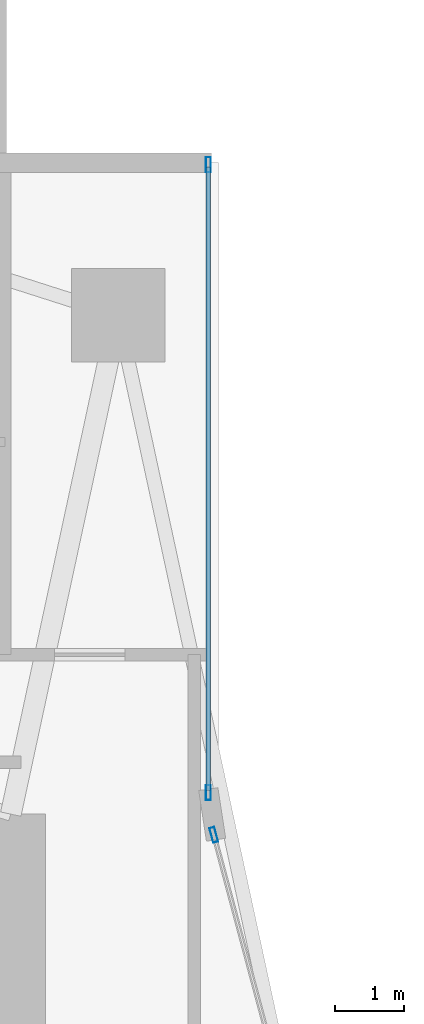
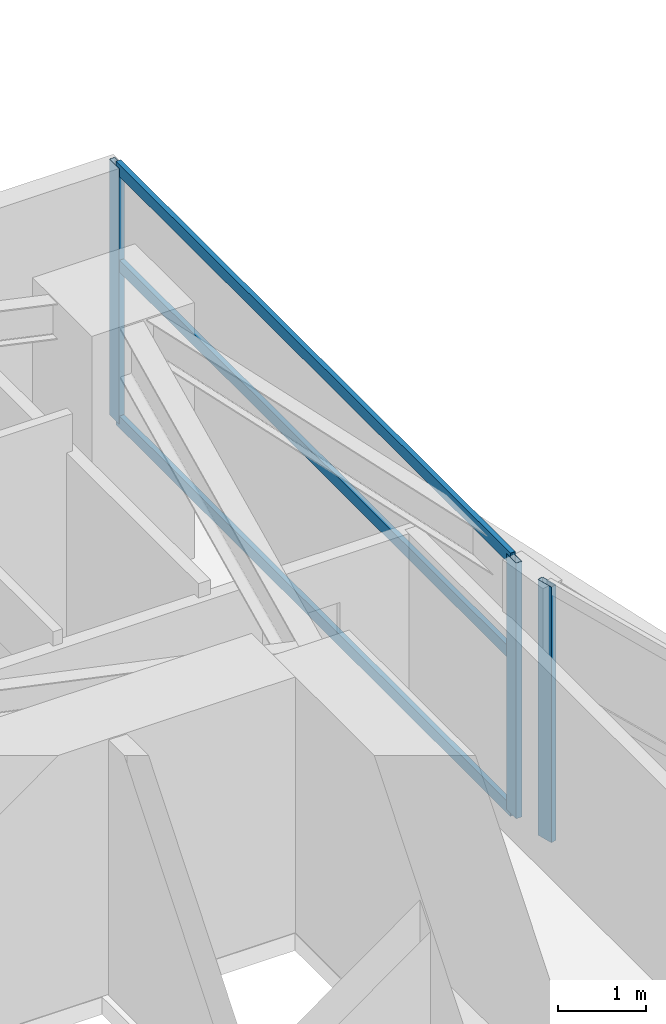
# One storey, part 18 of 30: 6 members, 2 elements without a shape of their own.
"""IFC4 building model written with IfcOpenShell, lengths in metres."""

from ifc_helpers import new_model, si_unit, direction, frame, origin, origin_2d, place, context, subcontext, project, spatial, hollow_rectangle, extrude, material, layer, layer_set, material_profile, profile_set, type_object, element, aggregate, save


model = new_model("IFC4")

# Units and contexts
model_context = context("Model", 3, precision=1e-05, world=origin(), true_north=direction((0.0, 1.0)))
body_context = subcontext(model_context, "Body", "Model", "MODEL_VIEW")
ifc_project = project(units=[si_unit("LENGTHUNIT", "METRE"), si_unit("AREAUNIT", "SQUARE_METRE"), si_unit("VOLUMEUNIT", "CUBIC_METRE"), si_unit("PLANEANGLEUNIT", "RADIAN"), si_unit("MASSUNIT", "GRAM", prefix="KILO")], contexts=[model_context])

# Site, building, storey
site_placement = place(None, origin())
site = spatial("IfcSite", under=ifc_project, at=site_placement, CompositionType="ELEMENT")
building_placement = place(site_placement, origin())
building = spatial("IfcBuilding", under=site, at=building_placement, Name="Calvorn Quay Hotel", CompositionType="ELEMENT")
storey_placement = place(building_placement, frame((0.0, 0.0, 54.60009765625)))
storey = spatial("IfcBuildingStorey", under=building, at=storey_placement, Name="L12", CompositionType="ELEMENT", Elevation=54.60009765625)

# Curtain wall, member
ifc_material_1 = material(Name="Pale Anodised Aluminium and Low-E Glass", Category="aluminium")
ifc_layer = layer(ifc_material_1, 0.219970703125)
ifc_layer_set = layer_set([ifc_layer], Name="CW-SYS-Z1")
curtain_wall_type = type_object("IfcCurtainWallType", Name="CW-SYS-Z1", PredefinedType="NOTDEFINED", material=ifc_layer_set)
curtain_wall_1_placement = place(storey_placement, origin())
curtain_wall_1 = element("IfcCurtainWall", 1, at=curtain_wall_1_placement, inside=storey, type_object=curtain_wall_type, Name="Inner Court Curtain Wall L12-IC1", PredefinedType="NOTDEFINED")
ifc_material_2 = material(Name="Pale Anodised Aluminium 6063-T6", Category="aluminium")
ifc_material_profile_1 = material_profile(ifc_material_2, hollow_rectangle(XDim=0.074951171875, YDim=0.219970703125, WallThickness=0.00439453125, at=origin_2d()), Name="ALU-M220x75x4.5")
ifc_profile_set_1 = profile_set([ifc_material_profile_1], Name="Pale Anodised Aluminium 6063-T6")
member_type_1 = type_object("IfcMemberType", Name="CW-SYS-Z1-MUL", PredefinedType="MULLION", material=ifc_profile_set_1)
member_1_placement = place(storey_placement, frame((17.9296875, 38.10107421875, 0.0), z_axis=(0.0, 0.0, 1.0), x_axis=(-0.96593652056, -0.25877913024, 0.0)))
member_1 = element("IfcMember", 2, at=member_1_placement, type_object=member_type_1, Name="CW-L12-IC1 mullion 2", PredefinedType="MULLION", context=body_context, shape_type="SweptSolid", body=[
    extrude(hollow_rectangle(XDim=0.074951171875, YDim=0.219970703125, WallThickness=0.00439453125, at=origin_2d()), origin(), (0.0, 0.0, 1.0), 3.559814453125),
])
aggregate(curtain_wall_1, [member_1])

# Curtain wall, members
curtain_wall_2_placement = place(storey_placement, origin())
curtain_wall_2 = element("IfcCurtainWall", 3, at=curtain_wall_2_placement, inside=storey, type_object=curtain_wall_type, Name="Inner Court Curtain Wall L12-IC2", PredefinedType="NOTDEFINED")
member_2_placement = place(storey_placement, frame((17.85009765625, 38.7099609375, 0.0), z_axis=(0.0, 0.0, 1.0), x_axis=(-1.0, 0.0, 0.0)))
member_2 = element("IfcMember", 4, at=member_2_placement, type_object=member_type_1, Name="CW-L12-IC2 mullion 1", PredefinedType="MULLION", context=body_context, shape_type="SweptSolid", body=[
    extrude(hollow_rectangle(XDim=0.074951171875, YDim=0.219970703125, WallThickness=0.00439453125, at=origin_2d()), origin(), (0.0, 0.0, 1.0), 3.559814453125),
])
member_3_placement = place(storey_placement, frame((17.85009765625, 47.77001953125, 0.0), z_axis=(0.0, 0.0, 1.0), x_axis=(-1.0, 0.0, 0.0)))
member_3 = element("IfcMember", 5, at=member_3_placement, type_object=member_type_1, Name="CW-L12-IC2 mullion 2", PredefinedType="MULLION", context=body_context, shape_type="SweptSolid", body=[
    extrude(hollow_rectangle(XDim=0.074951171875, YDim=0.219970703125, WallThickness=0.00439453125, at=origin_2d()), origin(), (0.0, 0.0, 1.0), 3.559814453125),
])
ifc_material_3 = material(Name="Pale Anodised Aluminium 6063-T6", Category="aluminium")
ifc_material_profile_2 = material_profile(ifc_material_3, hollow_rectangle(XDim=0.06494140625, YDim=0.1650390625, WallThickness=0.00341796875, at=origin_2d()), Name="ALU-T165x65x3.5")
ifc_profile_set_2 = profile_set([ifc_material_profile_2], Name="Pale Anodised Aluminium 6063-T6")
member_type_2 = type_object("IfcMemberType", Name="CW-SYS-Z1-TRN", PredefinedType="USERDEFINED", material=ifc_profile_set_2)
member_4_placement = place(storey_placement, frame((17.85009765625, 38.739990234375, 0.02978515625), z_axis=(0.0, 1.0, 0.0), x_axis=(-1.0, 0.0, 0.0)))
member_4 = element("IfcMember", 6, at=member_4_placement, type_object=member_type_2, Name="CW-L12-IC2 transom 1.1", ObjectType="TRANSOM", PredefinedType="USERDEFINED", context=body_context, shape_type="SweptSolid", body=[
    extrude(hollow_rectangle(XDim=0.06494140625, YDim=0.1650390625, WallThickness=0.00341796875, at=origin_2d()), origin(), (0.0, 0.0, 1.0), 9.0),
])
member_5_placement = place(storey_placement, frame((17.85009765625, 38.739990234375, 2.199951171875), z_axis=(0.0, 1.0, 0.0), x_axis=(-1.0, 0.0, 0.0)))
member_5 = element("IfcMember", 7, at=member_5_placement, type_object=member_type_2, Name="CW-L12-IC2 transom 1.2", ObjectType="TRANSOM", PredefinedType="USERDEFINED", context=body_context, shape_type="SweptSolid", body=[
    extrude(hollow_rectangle(XDim=0.06494140625, YDim=0.1650390625, WallThickness=0.00341796875, at=origin_2d()), origin(), (0.0, 0.0, 1.0), 9.0),
])
member_6_placement = place(storey_placement, frame((17.85009765625, 38.739990234375, 3.52978515625), z_axis=(0.0, 1.0, 0.0), x_axis=(-1.0, 0.0, 0.0)))
member_6 = element("IfcMember", 8, at=member_6_placement, type_object=member_type_2, Name="CW-L12-IC2 transom 1.3", ObjectType="TRANSOM", PredefinedType="USERDEFINED", context=body_context, shape_type="SweptSolid", body=[
    extrude(hollow_rectangle(XDim=0.06494140625, YDim=0.1650390625, WallThickness=0.00341796875, at=origin_2d()), origin(), (0.0, 0.0, 1.0), 9.0),
])
aggregate(curtain_wall_2, [member_2, member_3, member_4, member_5, member_6])

save(model, "model.ifc")
